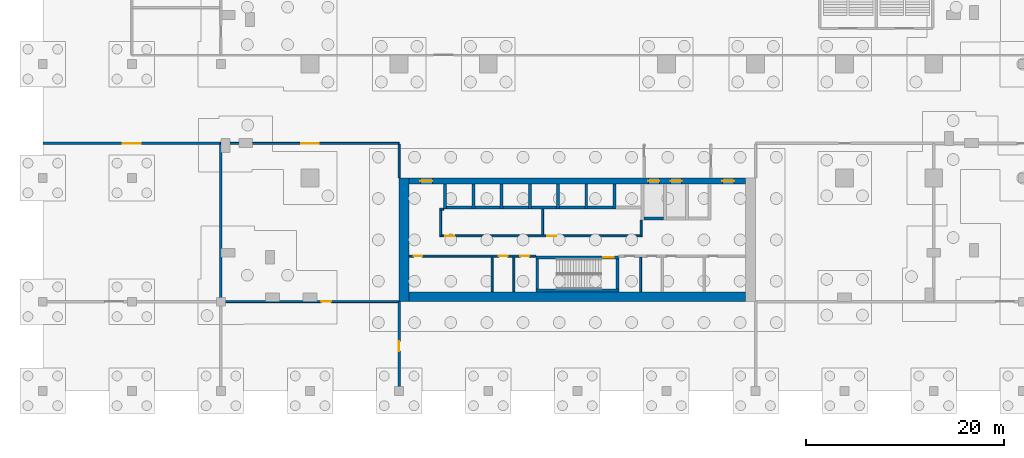
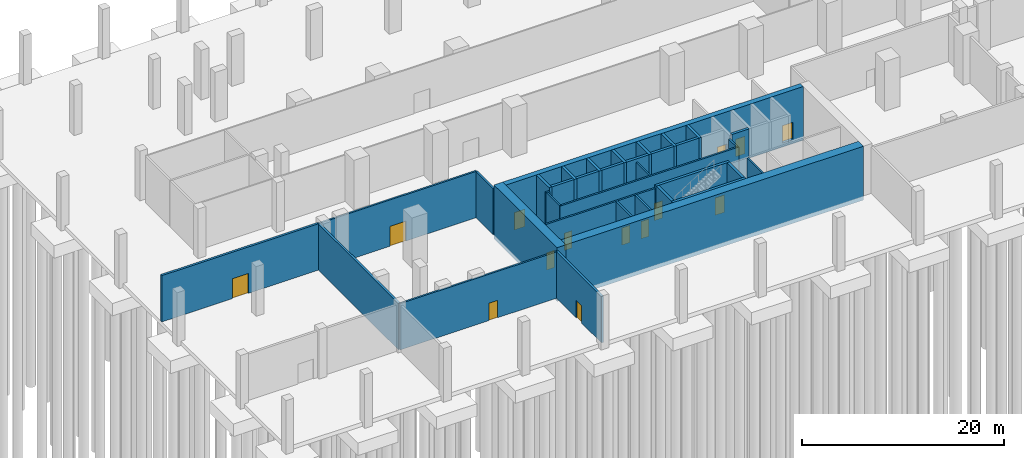
# One storey, part 4 of 9: 36 walls, 14 doors, 14 openings.
"""IFC4 building model written with IfcOpenShell, lengths in metres."""

from ifc_helpers import new_model, si_unit, direction, frame, frame_2d, origin, origin_with_axes, place, context, subcontext, project, spatial, rectangle, extrude, material, layer, layer_set, type_object, element, fill, save


model = new_model("IFC4")

# Units and contexts
model_context = context("Model", 3, precision=1e-05, world=origin(), true_north=direction((0.0, 1.0)))
body_context = subcontext(model_context, "Body", "Model", "MODEL_VIEW")
ifc_project = project(units=[si_unit("LENGTHUNIT", "METRE"), si_unit("AREAUNIT", "SQUARE_METRE"), si_unit("VOLUMEUNIT", "CUBIC_METRE"), si_unit("PLANEANGLEUNIT", "RADIAN"), si_unit("MASSUNIT", "GRAM", prefix="KILO")], contexts=[model_context])

# Site, building, storey
site_placement = place(None, origin())
site = spatial("IfcSite", under=ifc_project, at=site_placement, CompositionType="ELEMENT")
building_placement = place(site_placement, origin())
building = spatial("IfcBuilding", under=site, at=building_placement, Name="Brigalow Station Residences", CompositionType="ELEMENT")
storey_placement = place(building_placement, frame((0.0, 0.0, -6.0)))
storey = spatial("IfcBuildingStorey", under=building, at=storey_placement, Name="B1", CompositionType="ELEMENT", Elevation=-6.0)

# Walls
ifc_material_1 = material(Name="Concrete C80", Category="concrete")
ifc_layer_1 = layer(ifc_material_1, 1.0)
ifc_layer_set_1 = layer_set([ifc_layer_1], Name="CORE SHEAR WALL 1000 C80")
wall_type_1 = type_object("IfcWallType", Name="CORE SHEAR WALL 1000 C80", PredefinedType="SHEAR", material=ifc_layer_set_1)
wall_1_placement = place(storey_placement, frame((18.5, 0.0, -0.5), z_axis=(0.0, 0.0, 1.0), x_axis=(0.0, 1.0, 0.0)))
element("IfcWall", 1, at=wall_1_placement, inside=storey, type_object=wall_type_1, Name="CORE WALL OUT-W B1", PredefinedType="SHEAR", context=body_context, shape_type="SweptSolid", body=[
    extrude(rectangle(XDim=12.5, YDim=1.0, at=frame_2d((6.25, 0.0))), origin(), (0.0, 0.0, 1.0), 6.5),
])
wall_2_placement = place(storey_placement, frame((19.0, 0.5, -0.5), z_axis=(0.0, 0.0, 1.0), x_axis=(1.0, 0.0, 0.0)))
element("IfcWall", 2, at=wall_2_placement, inside=storey, type_object=wall_type_1, Name="CORE WALL OUT-S B1", PredefinedType="SHEAR", context=body_context, shape_type="SweptSolid", body=[
    extrude(rectangle(XDim=34.0, YDim=1.0, at=frame_2d((17.0, 0.0))), origin(), (0.0, 0.0, 1.0), 6.5),
])
ifc_material_2 = material(Name="Concrete C80", Category="concrete")
ifc_layer_2 = layer(ifc_material_2, 0.300048828125)
ifc_layer_set_2 = layer_set([ifc_layer_2], Name="CORE SHEAR WALL 300 C80")
wall_type_2 = type_object("IfcWallType", Name="CORE SHEAR WALL 300 C80", PredefinedType="SHEAR", material=ifc_layer_set_2)
wall_3_placement = place(storey_placement, frame((22.800048828125, 9.5, -0.5), z_axis=(0.0, 0.0, 1.0), x_axis=(1.0, 0.0, 0.0)))
element("IfcWall", 3, at=wall_3_placement, inside=storey, type_object=wall_type_2, Name="CORE WALL SH-P1-S B1", PredefinedType="SHEAR", context=body_context, shape_type="SweptSolid", body=[
    extrude(rectangle(XDim=2.550048828125, YDim=0.300048828125, at=frame_2d((1.27490234375, 0.0))), origin(), (0.0, 0.0, 1.0), 6.5),
])
wall_4_placement = place(storey_placement, frame((22.64990234375, 9.35009765625, -0.5), z_axis=(0.0, 0.0, 1.0), x_axis=(0.0, 1.0, 0.0)))
element("IfcWall", 4, at=wall_4_placement, inside=storey, type_object=wall_type_2, Name="CORE WALL SH-P1-W B1", PredefinedType="SHEAR", context=body_context, shape_type="SweptSolid", body=[
    extrude(rectangle(XDim=2.5498046875, YDim=0.300048828125, at=frame_2d((1.27490234375, 0.0))), origin(), (0.0, 0.0, 1.0), 6.5),
])
wall_5_placement = place(storey_placement, frame((25.64990234375, 9.5, -0.5), z_axis=(0.0, 0.0, 1.0), x_axis=(1.0, 0.0, 0.0)))
element("IfcWall", 5, at=wall_5_placement, inside=storey, type_object=wall_type_2, Name="CORE WALL SH-P2-S B1", PredefinedType="SHEAR", context=body_context, shape_type="SweptSolid", body=[
    extrude(rectangle(XDim=2.550048828125, YDim=0.300048828125, at=frame_2d((1.27490234375, 0.0))), origin(), (0.0, 0.0, 1.0), 6.5),
])
wall_6_placement = place(storey_placement, frame((25.5, 9.35009765625, -0.5), z_axis=(0.0, 0.0, 1.0), x_axis=(0.0, 1.0, 0.0)))
element("IfcWall", 6, at=wall_6_placement, inside=storey, type_object=wall_type_2, Name="CORE WALL SH-P2-W B1", PredefinedType="SHEAR", context=body_context, shape_type="SweptSolid", body=[
    extrude(rectangle(XDim=2.5498046875, YDim=0.300048828125, at=frame_2d((1.27490234375, 0.0))), origin(), (0.0, 0.0, 1.0), 6.5),
])
wall_7_placement = place(storey_placement, frame((28.5, 9.5, -0.5), z_axis=(0.0, 0.0, 1.0), x_axis=(1.0, 0.0, 0.0)))
element("IfcWall", 7, at=wall_7_placement, inside=storey, type_object=wall_type_2, Name="CORE WALL SH-P3-S B1", PredefinedType="SHEAR", context=body_context, shape_type="SweptSolid", body=[
    extrude(rectangle(XDim=2.550048828125, YDim=0.300048828125, at=frame_2d((1.27490234375, 0.0))), origin(), (0.0, 0.0, 1.0), 6.5),
])
for number, where, z_axis, x_axis, name in (
    (8, (28.35009765625, 9.35009765625, -0.5), (0.0, 0.0, 1.0), (0.0, 1.0, 0.0), "CORE WALL SH-P3-W B1"),
    (9, (31.35009765625, 9.5, -0.5), (0.0, 0.0, 1.0), (1.0, 0.0, 0.0), "CORE WALL SH-P4-S B1"),
    (10, (31.199951171875, 9.35009765625, -0.5), (0.0, 0.0, 1.0), (0.0, 1.0, 0.0), "CORE WALL SH-P4-W B1"),
):
    element("IfcWall", number, at=place(storey_placement, frame(where, z_axis=z_axis, x_axis=x_axis)), inside=storey, type_object=wall_type_2, Name=name, PredefinedType="SHEAR", context=body_context, shape_type="SweptSolid", body=[
        extrude(rectangle(XDim=2.5498046875, YDim=0.300048828125, at=frame_2d((1.27490234375, 0.0))), origin(), (0.0, 0.0, 1.0), 6.5),
    ])
wall_8_placement = place(storey_placement, frame((34.199951171875, 9.5, -0.5), z_axis=(0.0, 0.0, 1.0), x_axis=(1.0, 0.0, 0.0)))
element("IfcWall", 11, at=wall_8_placement, inside=storey, type_object=wall_type_2, Name="CORE WALL SH-P5-S B1", PredefinedType="SHEAR", context=body_context, shape_type="SweptSolid", body=[
    extrude(rectangle(XDim=2.550048828125, YDim=0.300048828125, at=frame_2d((1.27490234375, 0.0))), origin(), (0.0, 0.0, 1.0), 6.5),
])
wall_9_placement = place(storey_placement, frame((34.050048828125, 9.35009765625, -0.5), z_axis=(0.0, 0.0, 1.0), x_axis=(0.0, 1.0, 0.0)))
element("IfcWall", 12, at=wall_9_placement, inside=storey, type_object=wall_type_2, Name="CORE WALL SH-P5-W B1", PredefinedType="SHEAR", context=body_context, shape_type="SweptSolid", body=[
    extrude(rectangle(XDim=2.5498046875, YDim=0.300048828125, at=frame_2d((1.27490234375, 0.0))), origin(), (0.0, 0.0, 1.0), 6.5),
])
wall_10_placement = place(storey_placement, frame((37.050048828125, 9.5, -0.5), z_axis=(0.0, 0.0, 1.0), x_axis=(1.0, 0.0, 0.0)))
element("IfcWall", 13, at=wall_10_placement, inside=storey, type_object=wall_type_2, Name="CORE WALL SH-X1-S B1", PredefinedType="SHEAR", context=body_context, shape_type="SweptSolid", body=[
    extrude(rectangle(XDim=2.550048828125, YDim=0.300048828125, at=frame_2d((1.27490234375, 0.0))), origin(), (0.0, 0.0, 1.0), 6.5),
])
for number, where, z_axis, x_axis, name in (
    (14, (36.89990234375, 9.35009765625, -0.5), (0.0, 0.0, 1.0), (0.0, 1.0, 0.0), "CORE WALL SH-X1-W B1"),
    (15, (39.75, 9.35009765625, -0.5), (0.0, 0.0, 1.0), (0.0, 1.0, 0.0), "CORE WALL SH-X2-W B1"),
):
    element("IfcWall", number, at=place(storey_placement, frame(where, z_axis=z_axis, x_axis=x_axis)), inside=storey, type_object=wall_type_2, Name=name, PredefinedType="SHEAR", context=body_context, shape_type="SweptSolid", body=[
        extrude(rectangle(XDim=2.5498046875, YDim=0.300048828125, at=frame_2d((1.27490234375, 0.0))), origin(), (0.0, 0.0, 1.0), 6.5),
    ])
wall_11_placement = place(storey_placement, frame((42.75, 8.39990234375, -0.5), z_axis=(0.0, 0.0, 1.0), x_axis=(1.0, 0.0, 0.0)))
element("IfcWall", 16, at=wall_11_placement, inside=storey, type_object=wall_type_2, Name="CORE WALL SH-FF1-S B1", PredefinedType="SHEAR", context=body_context, shape_type="SweptSolid", body=[
    extrude(rectangle(XDim=1.949951171875, YDim=0.300048828125, at=frame_2d((0.97509765625, 0.0))), origin(), (0.0, 0.0, 1.0), 6.5),
])
wall_12_placement = place(storey_placement, frame((31.800048828125, 1.14990234375, -0.5), z_axis=(0.0, 0.0, 1.0), x_axis=(1.0, 0.0, 0.0)))
element("IfcWall", 17, at=wall_12_placement, inside=storey, type_object=wall_type_2, Name="CORE WALL ST-S2-S B1", PredefinedType="SHEAR", context=body_context, shape_type="SweptSolid", body=[
    extrude(rectangle(XDim=8.39990234375, YDim=0.300048828125, at=frame_2d((4.199951171875, 0.0))), origin(), (0.0, 0.0, 1.0), 6.5),
])

# Wall, opening, door
wall_13_placement = place(storey_placement, frame((31.800048828125, 4.449951171875, -0.5), z_axis=(0.0, 0.0, 1.0), x_axis=(1.0, 0.0, 0.0)))
wall_13 = element("IfcWall", 18, at=wall_13_placement, inside=storey, type_object=wall_type_2, Name="CORE WALL ST-S2-N B1", PredefinedType="SHEAR", context=body_context, shape_type="SweptSolid", body=[
    extrude(rectangle(XDim=8.39990234375, YDim=0.300048828125, at=frame_2d((4.199951171875, 0.0))), origin(), (0.0, 0.0, 1.0), 6.5),
])
opening_1_placement = place(wall_13_placement, frame((6.800048828125, 0.0, 0.5)))
opening_1 = element("IfcOpeningElement", 19, at=opening_1_placement, cuts=wall_13, Name="Opening D-5001", PredefinedType="OPENING", context=body_context, shape_type="SweptSolid", body=[
    extrude(rectangle(XDim=1.10009765625, YDim=2.10009765625, at=frame_2d((0.550048828125, 1.050048828125))), frame((0.0, 0.16015625, 0.0), z_axis=(0.0, -1.0, 0.0), x_axis=(1.0, 0.0, 0.0)), (0.0, 0.0, 1.0), 0.320068359375),
])
ifc_material_3 = material(Name="Steel fire door leaf in steel frame", Category="steel")
door_type_1 = type_object("IfcDoorType", Name="STAIR DOOR 1100 x 2100 FD60S", OperationType="SINGLE_SWING_LEFT", PredefinedType="DOOR", material=ifc_material_3)
door_1_placement = place(opening_1_placement, frame((1.10009765625, 0.0, 0.0), z_axis=(0.0, 0.0, 1.0), x_axis=(-1.0, 0.0, 0.0)))
door_1 = element("IfcDoor", 20, at=door_1_placement, inside=storey, type_object=door_type_1, Name="D-5001", OperationType="SINGLE_SWING_LEFT", OverallHeight=2.10009765625, OverallWidth=1.10009765625, PredefinedType="DOOR", context=body_context, shape_type="SweptSolid", body=[
    extrude(rectangle(XDim=1.10009765625, YDim=2.10009765625, at=frame_2d((0.550048828125, 1.050048828125))), frame((0.0, 0.02490234375, 0.0), z_axis=(0.0, -1.0, 0.0), x_axis=(1.0, 0.0, 0.0)), (0.0, 0.0, 1.0), 0.050048828125),
])
fill(opening_1, door_1)

# Walls
for number, where, z_axis, x_axis, name in (
    (21, (31.949951171875, 1.300048828125, -0.5), (0.0, 0.0, 1.0), (0.0, 1.0, 0.0), "CORE WALL ST-S2-W B1"),
    (22, (40.050048828125, 1.300048828125, -0.5), (0.0, 0.0, 1.0), (0.0, 1.0, 0.0), "CORE WALL ST-S2-E B1"),
):
    element("IfcWall", number, at=place(storey_placement, frame(where, z_axis=z_axis, x_axis=x_axis)), inside=storey, type_object=wall_type_2, Name=name, PredefinedType="SHEAR", context=body_context, shape_type="SweptSolid", body=[
        extrude(rectangle(XDim=3.0, YDim=0.300048828125, at=frame_2d((1.5, 0.0))), origin(), (0.0, 0.0, 1.0), 6.5),
    ])

# Wall, openings, doors
ifc_material_4 = material(Name="Concrete C80", Category="concrete")
ifc_layer_3 = layer(ifc_material_4, 0.60009765625)
ifc_layer_set_3 = layer_set([ifc_layer_3], Name="CORE SHEAR WALL 600 C80")
wall_type_3 = type_object("IfcWallType", Name="CORE SHEAR WALL 600 C80", PredefinedType="SHEAR", material=ifc_layer_set_3)
wall_14_placement = place(storey_placement, frame((19.0, 12.199951171875, -0.5), z_axis=(0.0, 0.0, 1.0), x_axis=(1.0, 0.0, 0.0)))
wall_14 = element("IfcWall", 23, at=wall_14_placement, inside=storey, type_object=wall_type_3, Name="CORE WALL OUT-N B1", PredefinedType="SHEAR", context=body_context, shape_type="SweptSolid", body=[
    extrude(rectangle(XDim=34.0, YDim=0.60009765625, at=frame_2d((17.0, 0.0))), origin(), (0.0, 0.0, 1.0), 6.5),
])
opening_2_placement = place(wall_14_placement, frame((24.175048828125, 0.0, 0.5)))
opening_2 = element("IfcOpeningElement", 24, at=opening_2_placement, cuts=wall_14, Name="Opening LD-LF1", PredefinedType="OPENING", context=body_context, shape_type="SweptSolid", body=[
    extrude(rectangle(XDim=1.10009765625, YDim=2.10009765625, at=frame_2d((0.550048828125, 1.050048828125))), frame((0.0, 0.31005859375, 0.0), z_axis=(0.0, -1.0, 0.0), x_axis=(1.0, 0.0, 0.0)), (0.0, 0.0, 1.0), 0.6201171875),
])
opening_3_placement = place(wall_14_placement, frame((26.425048828125, 0.0, 0.5)))
opening_3 = element("IfcOpeningElement", 25, at=opening_3_placement, cuts=wall_14, Name="Opening LD-LF2", PredefinedType="OPENING", context=body_context, shape_type="SweptSolid", body=[
    extrude(rectangle(XDim=1.10009765625, YDim=2.10009765625, at=frame_2d((0.550048828125, 1.050048828125))), frame((0.0, 0.31005859375, 0.0), z_axis=(0.0, -1.0, 0.0), x_axis=(1.0, 0.0, 0.0)), (0.0, 0.0, 1.0), 0.6201171875),
])
opening_4_placement = place(wall_14_placement, frame((1.14990234375, 0.0, 0.5)))
opening_4 = element("IfcOpeningElement", 26, at=opening_4_placement, cuts=wall_14, Name="Opening D-5011", PredefinedType="OPENING", context=body_context, shape_type="SweptSolid", body=[
    extrude(rectangle(XDim=1.199951171875, YDim=2.10009765625, at=frame_2d((0.60009765625, 1.050048828125))), frame((0.0, 0.31005859375, 0.0), z_axis=(0.0, -1.0, 0.0), x_axis=(1.0, 0.0, 0.0)), (0.0, 0.0, 1.0), 0.6201171875),
])
opening_5_placement = place(wall_14_placement, frame((31.64990234375, 0.0, 0.5)))
opening_5 = element("IfcOpeningElement", 27, at=opening_5_placement, cuts=wall_14, Name="Opening D-5012", PredefinedType="OPENING", context=body_context, shape_type="SweptSolid", body=[
    extrude(rectangle(XDim=1.199951171875, YDim=2.10009765625, at=frame_2d((0.60009765625, 1.050048828125))), frame((0.0, 0.31005859375, 0.0), z_axis=(0.0, -1.0, 0.0), x_axis=(1.0, 0.0, 0.0)), (0.0, 0.0, 1.0), 0.6201171875),
])
ifc_material_5 = material(Name="Steel fire door leaf in steel frame", Category="steel")
door_type_2 = type_object("IfcDoorType", Name="CORE CORRIDOR DOOR 1200 x 2100 FD60S", OperationType="SINGLE_SWING_LEFT", PredefinedType="DOOR", material=ifc_material_5)
door_2_placement = place(opening_4_placement, frame((1.199951171875, 0.0, 0.0), z_axis=(0.0, 0.0, 1.0), x_axis=(-1.0, 0.0, 0.0)))
door_2 = element("IfcDoor", 28, at=door_2_placement, inside=storey, type_object=door_type_2, Name="D-5011", OperationType="SINGLE_SWING_LEFT", OverallHeight=2.10009765625, OverallWidth=1.199951171875, PredefinedType="DOOR", context=body_context, shape_type="SweptSolid", body=[
    extrude(rectangle(XDim=1.199951171875, YDim=2.10009765625, at=frame_2d((0.60009765625, 1.050048828125))), frame((0.0, 0.02490234375, 0.0), z_axis=(0.0, -1.0, 0.0), x_axis=(1.0, 0.0, 0.0)), (0.0, 0.0, 1.0), 0.050048828125),
])
fill(opening_4, door_2)
door_3_placement = place(opening_5_placement, frame((1.199951171875, 0.0, 0.0), z_axis=(0.0, 0.0, 1.0), x_axis=(-1.0, 0.0, 0.0)))
door_3 = element("IfcDoor", 29, at=door_3_placement, inside=storey, type_object=door_type_2, Name="D-5012", OperationType="SINGLE_SWING_RIGHT", OverallHeight=2.10009765625, OverallWidth=1.199951171875, PredefinedType="DOOR", context=body_context, shape_type="SweptSolid", body=[
    extrude(rectangle(XDim=1.199951171875, YDim=2.10009765625, at=frame_2d((0.60009765625, 1.050048828125))), frame((0.0, 0.02490234375, 0.0), z_axis=(0.0, -1.0, 0.0), x_axis=(1.0, 0.0, 0.0)), (0.0, 0.0, 1.0), 0.050048828125),
])
fill(opening_5, door_3)
ifc_material_6 = material(Name="Stainless steel sliding door leaves", Category="steel")
door_type_3 = type_object("IfcDoorType", Name="LIFT LANDING DOOR 1100 x 2100", OperationType="DOUBLE_DOOR_SLIDING", PredefinedType="DOOR", material=ifc_material_6)
door_4_placement = place(opening_2_placement, origin())
door_4 = element("IfcDoor", 30, at=door_4_placement, inside=storey, type_object=door_type_3, Name="LANDING DOOR LF1", OperationType="DOUBLE_DOOR_SLIDING", OverallHeight=2.10009765625, OverallWidth=1.10009765625, PredefinedType="DOOR", context=body_context, shape_type="SweptSolid", body=[
    extrude(rectangle(XDim=1.10009765625, YDim=2.10009765625, at=frame_2d((0.550048828125, 1.050048828125))), frame((0.0, 0.02490234375, 0.0), z_axis=(0.0, -1.0, 0.0), x_axis=(1.0, 0.0, 0.0)), (0.0, 0.0, 1.0), 0.050048828125),
])
fill(opening_2, door_4)
door_5_placement = place(opening_3_placement, origin())
door_5 = element("IfcDoor", 31, at=door_5_placement, inside=storey, type_object=door_type_3, Name="LANDING DOOR LF2", OperationType="DOUBLE_DOOR_SLIDING", OverallHeight=2.10009765625, OverallWidth=1.10009765625, PredefinedType="DOOR", context=body_context, shape_type="SweptSolid", body=[
    extrude(rectangle(XDim=1.10009765625, YDim=2.10009765625, at=frame_2d((0.550048828125, 1.050048828125))), frame((0.0, 0.02490234375, 0.0), z_axis=(0.0, -1.0, 0.0), x_axis=(1.0, 0.0, 0.0)), (0.0, 0.0, 1.0), 0.050048828125),
])
fill(opening_3, door_5)

# Wall, opening, door
ifc_material_7 = material(Name="Fire-rated plasterboard on steel studs", Category="steel")
ifc_layer_4 = layer(ifc_material_7, 0.25)
ifc_layer_set_4 = layer_set([ifc_layer_4], Name="FIRE PARTITION 250")
wall_type_4 = type_object("IfcWallType", Name="FIRE PARTITION 250", PredefinedType="PARTITIONING", material=ifc_layer_set_4)
wall_15_placement = place(storey_placement, frame((-18.0, 16.0, 0.0), z_axis=(0.0, 0.0, 1.0), x_axis=(1.0, 0.0, 0.0)))
wall_15 = element("IfcWall", 32, at=wall_15_placement, inside=storey, type_object=wall_type_4, Name="Fire Partition 250 Station Service Corridor / Station Plant Room", PredefinedType="PARTITIONING", context=body_context, shape_type="SweptSolid", body=[
    extrude(rectangle(XDim=18.0, YDim=0.25, at=frame_2d((9.0, 0.0))), origin(), (0.0, 0.0, 1.0), 5.597900390625),
])
opening_6_placement = place(wall_15_placement, frame((8.10009765625, 0.0, 0.0)))
opening_6 = element("IfcOpeningElement", 33, at=opening_6_placement, cuts=wall_15, Name="Opening D-7008", PredefinedType="OPENING", context=body_context, shape_type="SweptSolid", body=[
    extrude(rectangle(XDim=1.800048828125, YDim=2.39990234375, at=frame_2d((0.89990234375, 1.199951171875))), frame((0.0, 0.135009765625, 0.0), z_axis=(0.0, -1.0, 0.0), x_axis=(1.0, 0.0, 0.0)), (0.0, 0.0, 1.0), 0.27001953125),
])
ifc_material_8 = material(Name="Steel fire door leaves in steel frame", Category="steel")
door_type_4 = type_object("IfcDoorType", Name="DOOR DOUBLE 1800 FIRE", OperationType="DOUBLE_DOOR_SINGLE_SWING", PredefinedType="DOOR", material=ifc_material_8)
door_6_placement = place(opening_6_placement, frame((1.800048828125, 0.0, 0.0), z_axis=(0.0, 0.0, 1.0), x_axis=(-1.0, 0.0, 0.0)))
door_6 = element("IfcDoor", 34, at=door_6_placement, inside=storey, type_object=door_type_4, Name="Station plant room door", OperationType="DOUBLE_DOOR_SINGLE_SWING", OverallHeight=2.39990234375, OverallWidth=1.800048828125, PredefinedType="DOOR", context=body_context, shape_type="SweptSolid", body=[
    extrude(rectangle(XDim=1.800048828125, YDim=2.39990234375, at=frame_2d((0.89990234375, 1.199951171875))), frame((0.0, 0.02490234375, 0.0), z_axis=(0.0, -1.0, 0.0), x_axis=(1.0, 0.0, 0.0)), (0.0, 0.0, 1.0), 0.050048828125),
])
fill(opening_6, door_6)

# Wall
wall_16_placement = place(storey_placement, frame((0.0, 0.0, 0.0), z_axis=(0.0, 0.0, 1.0), x_axis=(0.0, 1.0, 0.0)))
element("IfcWall", 35, at=wall_16_placement, inside=storey, type_object=wall_type_4, Name="Fire Partition 250 Station Plant Room / Station Store", PredefinedType="PARTITIONING", context=body_context, shape_type="SweptSolid", body=[
    extrude(rectangle(XDim=16.0, YDim=0.25, at=frame_2d((8.0, 0.0))), origin(), (0.0, 0.0, 1.0), 5.597900390625),
])

# Wall, opening, door
wall_17_placement = place(storey_placement, frame((18.0, -9.0, 0.0), z_axis=(0.0, 0.0, 1.0), x_axis=(0.0, 1.0, 0.0)))
wall_17 = element("IfcWall", 36, at=wall_17_placement, inside=storey, type_object=wall_type_4, Name="Fire Partition 250 Station Cleaners Store / Station Cable Room", PredefinedType="PARTITIONING", context=body_context, shape_type="SweptSolid", body=[
    extrude(rectangle(XDim=9.0, YDim=0.25, at=frame_2d((4.5, 0.0))), origin(), (0.0, 0.0, 1.0), 5.597900390625),
])
opening_7_placement = place(wall_17_placement, frame((4.0, 0.0, 0.0)))
opening_7 = element("IfcOpeningElement", 37, at=opening_7_placement, cuts=wall_17, Name="Opening D-7015", PredefinedType="OPENING", context=body_context, shape_type="SweptSolid", body=[
    extrude(rectangle(XDim=1.0, YDim=2.10009765625, at=frame_2d((0.5, 1.050048828125))), frame((0.0, 0.135009765625, 0.0), z_axis=(0.0, -1.0, 0.0), x_axis=(1.0, 0.0, 0.0)), (0.0, 0.0, 1.0), 0.27001953125),
])
ifc_material_9 = material(Name="Steel fire door leaf in steel frame", Category="steel")
door_type_5 = type_object("IfcDoorType", Name="DOOR SINGLE 1000 FIRE", OperationType="SINGLE_SWING_LEFT", PredefinedType="DOOR", material=ifc_material_9)
door_7_placement = place(opening_7_placement, origin())
door_7 = element("IfcDoor", 38, at=door_7_placement, inside=storey, type_object=door_type_5, Name="Station cable room door", OperationType="SINGLE_SWING_RIGHT", OverallHeight=2.10009765625, OverallWidth=1.0, PredefinedType="DOOR", context=body_context, shape_type="SweptSolid", body=[
    extrude(rectangle(XDim=1.0, YDim=2.10009765625, at=frame_2d((0.5, 1.050048828125))), frame((0.0, 0.02490234375, 0.0), z_axis=(0.0, -1.0, 0.0), x_axis=(1.0, 0.0, 0.0)), (0.0, 0.0, 1.0), 0.050048828125),
])
fill(opening_7, door_7)

# Wall, openings, doors
ifc_material_10 = material(Name="Concrete blockwork", Category="masonry")
ifc_layer_5 = layer(ifc_material_10, 0.199951171875)
ifc_layer_set_5 = layer_set([ifc_layer_5], Name="FIRE RATED CORE PARTITION 200")
wall_type_5 = type_object("IfcWallType", Name="FIRE RATED CORE PARTITION 200", PredefinedType="PARTITIONING", material=ifc_layer_set_5)
wall_18_placement = place(storey_placement, frame((19.0, 4.60009765625, 0.0), z_axis=(0.0, 0.0, 1.0), x_axis=(1.0, 0.0, 0.0)))
wall_18 = element("IfcWall", 39, at=wall_18_placement, inside=storey, type_object=wall_type_5, Name="PW-5001", PredefinedType="PARTITIONING", context=body_context, shape_type="SweptSolid", body=[
    extrude(rectangle(XDim=12.800048828125, YDim=0.199951171875, at=frame_2d((6.39990234375, 0.0))), origin(), (0.0, 0.0, 1.0), 5.597900390625),
])
opening_8_placement = place(wall_18_placement, frame((0.449951171875, 0.0, 0.0)))
opening_8 = element("IfcOpeningElement", 40, at=opening_8_placement, cuts=wall_18, Name="Opening D-5004", PredefinedType="OPENING", context=body_context, shape_type="SweptSolid", body=[
    extrude(rectangle(XDim=0.89990234375, YDim=2.10009765625, at=frame_2d((0.449951171875, 1.050048828125))), frame((0.0, 0.10986328125, 0.0), z_axis=(0.0, -1.0, 0.0), x_axis=(1.0, 0.0, 0.0)), (0.0, 0.0, 1.0), 0.219970703125),
])
opening_9_placement = place(wall_18_placement, frame((9.050048828125, 0.0, 0.0)))
opening_9 = element("IfcOpeningElement", 41, at=opening_9_placement, cuts=wall_18, Name="Opening D-5007", PredefinedType="OPENING", context=body_context, shape_type="SweptSolid", body=[
    extrude(rectangle(XDim=0.89990234375, YDim=2.10009765625, at=frame_2d((0.449951171875, 1.050048828125))), frame((0.0, 0.10986328125, 0.0), z_axis=(0.0, -1.0, 0.0), x_axis=(1.0, 0.0, 0.0)), (0.0, 0.0, 1.0), 0.219970703125),
])
opening_10_placement = place(wall_18_placement, frame((11.25, 0.0, 0.0)))
opening_10 = element("IfcOpeningElement", 42, at=opening_10_placement, cuts=wall_18, Name="Opening D-5008", PredefinedType="OPENING", context=body_context, shape_type="SweptSolid", body=[
    extrude(rectangle(XDim=0.89990234375, YDim=2.10009765625, at=frame_2d((0.449951171875, 1.050048828125))), frame((0.0, 0.10986328125, 0.0), z_axis=(0.0, -1.0, 0.0), x_axis=(1.0, 0.0, 0.0)), (0.0, 0.0, 1.0), 0.219970703125),
])
ifc_material_11 = material(Name="Steel fire door leaf in steel frame", Category="steel")
door_type_6 = type_object("IfcDoorType", Name="PLANT ROOM DOOR 900 x 2100 FD60", OperationType="SINGLE_SWING_LEFT", PredefinedType="DOOR", material=ifc_material_11)
door_8_placement = place(opening_8_placement, frame((0.89990234375, 0.0, 0.0), z_axis=(0.0, 0.0, 1.0), x_axis=(-1.0, 0.0, 0.0)))
door_8 = element("IfcDoor", 43, at=door_8_placement, inside=storey, type_object=door_type_6, Name="D-5004", OperationType="SINGLE_SWING_RIGHT", OverallHeight=2.10009765625, OverallWidth=0.89990234375, PredefinedType="DOOR", context=body_context, shape_type="SweptSolid", body=[
    extrude(rectangle(XDim=0.89990234375, YDim=2.10009765625, at=frame_2d((0.449951171875, 1.050048828125))), frame((0.0, 0.02490234375, 0.0), z_axis=(0.0, -1.0, 0.0), x_axis=(1.0, 0.0, 0.0)), (0.0, 0.0, 1.0), 0.050048828125),
])
fill(opening_8, door_8)
ifc_material_12 = material(Name="Steel fire door leaf in steel frame", Category="steel")
door_type_7 = type_object("IfcDoorType", Name="RISER ACCESS DOOR 900 x 2100 FD120", OperationType="SINGLE_SWING_LEFT", PredefinedType="DOOR", material=ifc_material_12)
door_9_placement = place(opening_9_placement, frame((0.89990234375, 0.0, 0.0), z_axis=(0.0, 0.0, 1.0), x_axis=(-1.0, 0.0, 0.0)))
door_9 = element("IfcDoor", 44, at=door_9_placement, inside=storey, type_object=door_type_7, Name="D-5007", OperationType="SINGLE_SWING_RIGHT", OverallHeight=2.10009765625, OverallWidth=0.89990234375, PredefinedType="DOOR", context=body_context, shape_type="SweptSolid", body=[
    extrude(rectangle(XDim=0.89990234375, YDim=2.10009765625, at=frame_2d((0.449951171875, 1.050048828125))), frame((0.0, 0.02490234375, 0.0), z_axis=(0.0, -1.0, 0.0), x_axis=(1.0, 0.0, 0.0)), (0.0, 0.0, 1.0), 0.050048828125),
])
fill(opening_9, door_9)
door_10_placement = place(opening_10_placement, frame((0.89990234375, 0.0, 0.0), z_axis=(0.0, 0.0, 1.0), x_axis=(-1.0, 0.0, 0.0)))
door_10 = element("IfcDoor", 45, at=door_10_placement, inside=storey, type_object=door_type_7, Name="D-5008", OperationType="SINGLE_SWING_RIGHT", OverallHeight=2.10009765625, OverallWidth=0.89990234375, PredefinedType="DOOR", context=body_context, shape_type="SweptSolid", body=[
    extrude(rectangle(XDim=0.89990234375, YDim=2.10009765625, at=frame_2d((0.449951171875, 1.050048828125))), frame((0.0, 0.02490234375, 0.0), z_axis=(0.0, -1.0, 0.0), x_axis=(1.0, 0.0, 0.0)), (0.0, 0.0, 1.0), 0.050048828125),
])
fill(opening_10, door_10)

wall_19_placement = place(storey_placement, frame((22.10009765625, 6.64990234375, 0.0), z_axis=(0.0, 0.0, 1.0), x_axis=(1.0, 0.0, 0.0)))
wall_19 = element("IfcWall", 46, at=wall_19_placement, inside=storey, type_object=wall_type_5, Name="PW-5003", PredefinedType="PARTITIONING", context=body_context, shape_type="SweptSolid", body=[
    extrude(rectangle(XDim=20.449951171875, YDim=0.199951171875, at=frame_2d((10.22509765625, 0.0))), origin(), (0.0, 0.0, 1.0), 5.597900390625),
])
opening_11_placement = place(wall_19_placement, frame((0.550048828125, 0.0, 0.0)))
opening_11 = element("IfcOpeningElement", 47, at=opening_11_placement, cuts=wall_19, Name="Opening D-5002", PredefinedType="OPENING", context=body_context, shape_type="SweptSolid", body=[
    extrude(rectangle(XDim=0.89990234375, YDim=2.10009765625, at=frame_2d((0.449951171875, 1.050048828125))), frame((0.0, 0.10986328125, 0.0), z_axis=(0.0, -1.0, 0.0), x_axis=(1.0, 0.0, 0.0)), (0.0, 0.0, 1.0), 0.219970703125),
])
opening_12_placement = place(wall_19_placement, frame((10.85009765625, 0.0, 0.0)))
opening_12 = element("IfcOpeningElement", 48, at=opening_12_placement, cuts=wall_19, Name="Opening D-5003", PredefinedType="OPENING", context=body_context, shape_type="SweptSolid", body=[
    extrude(rectangle(XDim=0.89990234375, YDim=2.10009765625, at=frame_2d((0.449951171875, 1.050048828125))), frame((0.0, 0.10986328125, 0.0), z_axis=(0.0, -1.0, 0.0), x_axis=(1.0, 0.0, 0.0)), (0.0, 0.0, 1.0), 0.219970703125),
])
door_11_placement = place(opening_11_placement, origin())
door_11 = element("IfcDoor", 49, at=door_11_placement, inside=storey, type_object=door_type_6, Name="D-5002", OperationType="SINGLE_SWING_LEFT", OverallHeight=2.10009765625, OverallWidth=0.89990234375, PredefinedType="DOOR", context=body_context, shape_type="SweptSolid", body=[
    extrude(rectangle(XDim=0.89990234375, YDim=2.10009765625, at=frame_2d((0.449951171875, 1.050048828125))), frame((0.0, 0.02490234375, 0.0), z_axis=(0.0, -1.0, 0.0), x_axis=(1.0, 0.0, 0.0)), (0.0, 0.0, 1.0), 0.050048828125),
])
fill(opening_11, door_11)
door_12_placement = place(opening_12_placement, origin())
door_12 = element("IfcDoor", 50, at=door_12_placement, inside=storey, type_object=door_type_6, Name="D-5003", OperationType="SINGLE_SWING_LEFT", OverallHeight=2.10009765625, OverallWidth=0.89990234375, PredefinedType="DOOR", context=body_context, shape_type="SweptSolid", body=[
    extrude(rectangle(XDim=0.89990234375, YDim=2.10009765625, at=frame_2d((0.449951171875, 1.050048828125))), frame((0.0, 0.02490234375, 0.0), z_axis=(0.0, -1.0, 0.0), x_axis=(1.0, 0.0, 0.0)), (0.0, 0.0, 1.0), 0.050048828125),
])
fill(opening_12, door_12)

# Walls
wall_20_placement = place(storey_placement, frame((22.10009765625, 9.35009765625, 0.0), z_axis=(0.0, 0.0, 1.0), x_axis=(1.0, 0.0, 0.0)))
element("IfcWall", 51, at=wall_20_placement, inside=storey, type_object=wall_type_5, Name="PW-5004", PredefinedType="PARTITIONING", context=body_context, shape_type="SweptSolid", body=[
    extrude(rectangle(XDim=0.39990234375, YDim=0.199951171875, at=frame_2d((0.199951171875, 0.0))), origin(), (0.0, 0.0, 1.0), 5.597900390625),
])
for number, where, z_axis, x_axis, name in (
    (52, (27.39990234375, 1.0, 0.0), (0.0, 0.0, 1.0), (0.0, 1.0, 0.0), "PW-5005"),
    (53, (29.60009765625, 1.0, 0.0), (0.0, 0.0, 1.0), (0.0, 1.0, 0.0), "PW-5006"),
    (54, (42.39990234375, 1.0, 0.0), (0.0, 0.0, 1.0), (0.0, 1.0, 0.0), "PW-5007"),
):
    element("IfcWall", number, at=place(storey_placement, frame(where, z_axis=z_axis, x_axis=x_axis)), inside=storey, type_object=wall_type_5, Name=name, PredefinedType="PARTITIONING", context=body_context, shape_type="SweptSolid", body=[
        extrude(rectangle(XDim=3.5, YDim=0.199951171875, at=frame_2d((1.75, 0.0))), origin(), (0.0, 0.0, 1.0), 5.597900390625),
    ])
wall_21_placement = place(storey_placement, frame((22.199951171875, 6.64990234375, 0.0), z_axis=(0.0, 0.0, 1.0), x_axis=(0.0, 1.0, 0.0)))
element("IfcWall", 55, at=wall_21_placement, inside=storey, type_object=wall_type_5, Name="PW-5010", PredefinedType="PARTITIONING", context=body_context, shape_type="SweptSolid", body=[
    extrude(rectangle(XDim=2.7001953125, YDim=0.199951171875, at=frame_2d((1.35009765625, 0.0))), origin(), (0.0, 0.0, 1.0), 5.597900390625),
])
wall_22_placement = place(storey_placement, frame((42.449951171875, 6.64990234375, 0.0), z_axis=(0.0, 0.0, 1.0), x_axis=(0.0, 1.0, 0.0)))
element("IfcWall", 56, at=wall_22_placement, inside=storey, type_object=wall_type_5, Name="PW-5011", PredefinedType="PARTITIONING", context=body_context, shape_type="SweptSolid", body=[
    extrude(rectangle(XDim=1.60009765625, YDim=0.199951171875, at=frame_2d((0.800048828125, 0.0))), origin(), (0.0, 0.0, 1.0), 5.597900390625),
])
wall_23_placement = place(storey_placement, frame((32.5, 6.75, 0.0), z_axis=(0.0, 0.0, 1.0), x_axis=(0.0, 1.0, 0.0)))
element("IfcWall", 57, at=wall_23_placement, inside=storey, type_object=wall_type_5, Name="PW-5012", PredefinedType="PARTITIONING", context=body_context, shape_type="SweptSolid", body=[
    extrude(rectangle(XDim=2.60009765625, YDim=0.199951171875, at=frame_2d((1.300048828125, 0.0))), origin(), (0.0, 0.0, 1.0), 5.597900390625),
])
wall_24_placement = place(storey_placement, frame((18.0, 12.5, 0.0), z_axis=(0.0, 0.0, 1.0), x_axis=(0.0, 1.0, 0.0)))
element("IfcWall", 58, at=wall_24_placement, inside=storey, type_object=wall_type_5, Name="PW-5013", PredefinedType="PARTITIONING", context=body_context, shape_type="SweptSolid", body=[
    extrude(rectangle(XDim=3.39990234375, YDim=0.199951171875, at=frame_2d((1.699951171875, 0.0))), origin(), (0.0, 0.0, 1.0), 5.597900390625),
])

# Wall, opening, door
ifc_material_13 = material(Name="Plasterboard on steel studs with acoustic insulation", Category="steel")
ifc_layer_6 = layer(ifc_material_13, 0.199951171875)
ifc_layer_set_6 = layer_set([ifc_layer_6], Name="PARTITION 200")
wall_type_6 = type_object("IfcWallType", Name="PARTITION 200", PredefinedType="PARTITIONING", material=ifc_layer_set_6)
wall_25_placement = place(storey_placement, frame((0.0, 16.0, 0.0), z_axis=(0.0, 0.0, 1.0), x_axis=(1.0, 0.0, 0.0)))
wall_25 = element("IfcWall", 59, at=wall_25_placement, inside=storey, type_object=wall_type_6, Name="Partition 200 Station Service Corridor / Station Store", PredefinedType="PARTITIONING", context=body_context, shape_type="SweptSolid", body=[
    extrude(rectangle(XDim=18.0, YDim=0.199951171875, at=frame_2d((9.0, 0.0))), origin(), (0.0, 0.0, 1.0), 5.597900390625),
])
opening_13_placement = place(wall_25_placement, frame((8.10009765625, 0.0, 0.0)))
opening_13 = element("IfcOpeningElement", 60, at=opening_13_placement, cuts=wall_25, Name="Opening D-7009", PredefinedType="OPENING", context=body_context, shape_type="SweptSolid", body=[
    extrude(rectangle(XDim=1.800048828125, YDim=2.39990234375, at=frame_2d((0.89990234375, 1.199951171875))), frame((0.0, 0.10986328125, 0.0), z_axis=(0.0, -1.0, 0.0), x_axis=(1.0, 0.0, 0.0)), (0.0, 0.0, 1.0), 0.219970703125),
])
ifc_material_14 = material(Name="Timber door leaves in steel frame", Category="steel")
door_type_8 = type_object("IfcDoorType", Name="DOOR DOUBLE 1800", OperationType="DOUBLE_DOOR_SINGLE_SWING", PredefinedType="DOOR", material=ifc_material_14)
door_13_placement = place(opening_13_placement, frame((1.800048828125, 0.0, 0.0), z_axis=(0.0, 0.0, 1.0), x_axis=(-1.0, 0.0, 0.0)))
door_13 = element("IfcDoor", 61, at=door_13_placement, inside=storey, type_object=door_type_8, Name="Station store door", OperationType="DOUBLE_DOOR_SINGLE_SWING", OverallHeight=2.39990234375, OverallWidth=1.800048828125, PredefinedType="DOOR", context=body_context, shape_type="SweptSolid", body=[
    extrude(rectangle(XDim=1.800048828125, YDim=2.39990234375, at=frame_2d((0.89990234375, 1.199951171875))), frame((0.0, 0.02490234375, 0.0), z_axis=(0.0, -1.0, 0.0), x_axis=(1.0, 0.0, 0.0)), (0.0, 0.0, 1.0), 0.050048828125),
])
fill(opening_13, door_13)

wall_26_placement = place(storey_placement, origin_with_axes())
wall_26 = element("IfcWall", 62, at=wall_26_placement, inside=storey, type_object=wall_type_6, Name="Partition 200 Station Store / Station Cleaners Store", PredefinedType="PARTITIONING", context=body_context, shape_type="SweptSolid", body=[
    extrude(rectangle(XDim=18.0, YDim=0.199951171875, at=frame_2d((9.0, 0.0))), origin(), (0.0, 0.0, 1.0), 5.597900390625),
])
opening_14_placement = place(wall_26_placement, frame((10.14990234375, 0.0, 0.0)))
opening_14 = element("IfcOpeningElement", 63, at=opening_14_placement, cuts=wall_26, Name="Opening D-7013", PredefinedType="OPENING", context=body_context, shape_type="SweptSolid", body=[
    extrude(rectangle(XDim=1.0, YDim=2.10009765625, at=frame_2d((0.5, 1.050048828125))), frame((0.0, 0.10986328125, 0.0), z_axis=(0.0, -1.0, 0.0), x_axis=(1.0, 0.0, 0.0)), (0.0, 0.0, 1.0), 0.219970703125),
])
ifc_material_15 = material(Name="Timber door leaf in steel frame", Category="steel")
door_type_9 = type_object("IfcDoorType", Name="DOOR SINGLE 1000", OperationType="SINGLE_SWING_LEFT", PredefinedType="DOOR", material=ifc_material_15)
door_14_placement = place(opening_14_placement, frame((1.0, 0.0, 0.0), z_axis=(0.0, 0.0, 1.0), x_axis=(-1.0, 0.0, 0.0)))
door_14 = element("IfcDoor", 64, at=door_14_placement, inside=storey, type_object=door_type_9, Name="Station cleaners store door", OperationType="SINGLE_SWING_LEFT", OverallHeight=2.10009765625, OverallWidth=1.0, PredefinedType="DOOR", context=body_context, shape_type="SweptSolid", body=[
    extrude(rectangle(XDim=1.0, YDim=2.10009765625, at=frame_2d((0.5, 1.050048828125))), frame((0.0, 0.02490234375, 0.0), z_axis=(0.0, -1.0, 0.0), x_axis=(1.0, 0.0, 0.0)), (0.0, 0.0, 1.0), 0.050048828125),
])
fill(opening_14, door_14)

save(model, "model.ifc")
